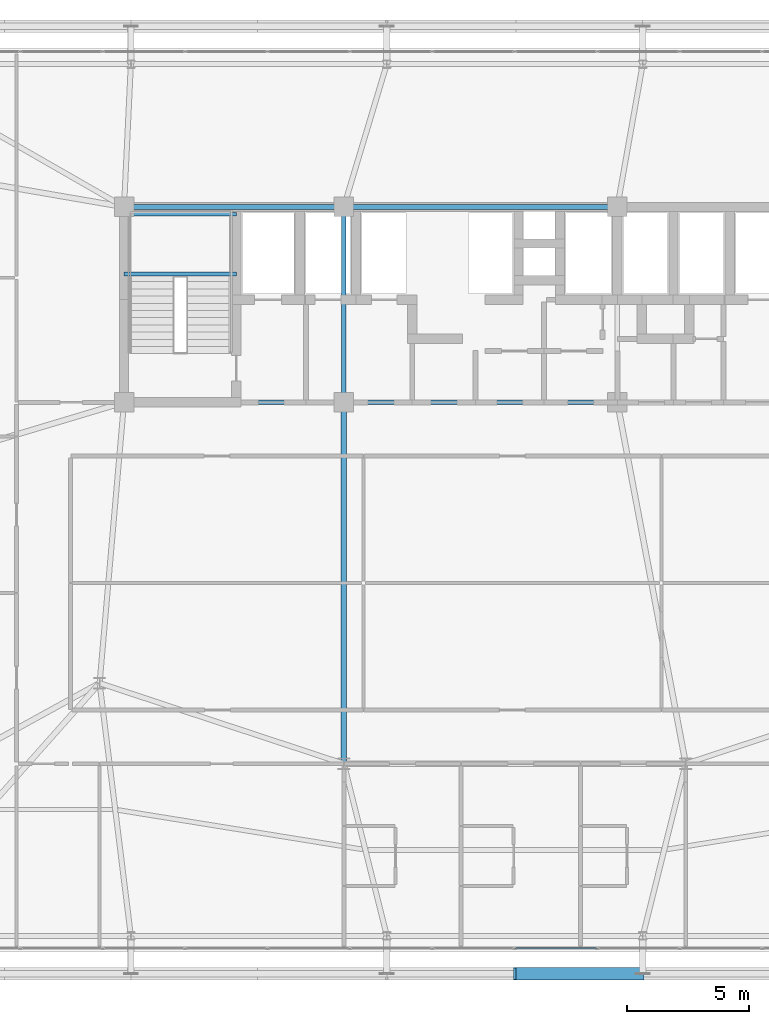
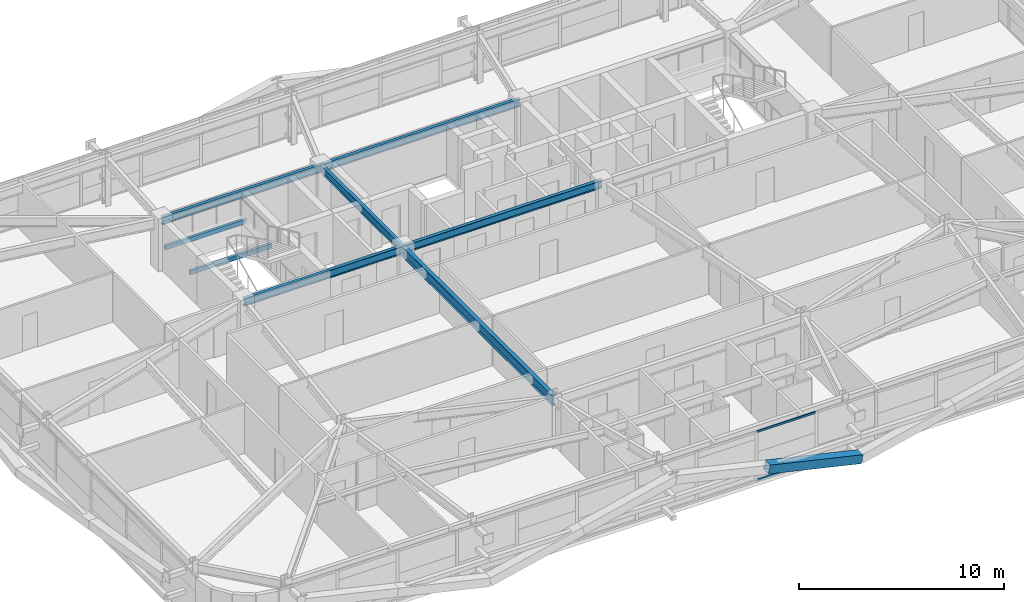
# One storey, part 19 of 59: 8 beams, 3 members, 1 element without a shape of its own.
"""IFC4 building model written with IfcOpenShell, lengths in metres."""

from ifc_helpers import new_model, si_unit, direction, frame, origin, origin_2d, place, context, subcontext, project, spatial, hollow_rectangle, i_section, extrude, source, transform, mapped, material, layer, layer_set, material_profile, profile_set, type_object, element, aggregate, save


model = new_model("IFC4")

# Units and contexts
model_context = context("Model", 3, precision=1e-05, world=origin(), true_north=direction((0.0, 1.0)))
body_context = subcontext(model_context, "Body", "Model", "MODEL_VIEW")
ifc_project = project(units=[si_unit("LENGTHUNIT", "METRE"), si_unit("AREAUNIT", "SQUARE_METRE"), si_unit("VOLUMEUNIT", "CUBIC_METRE"), si_unit("PLANEANGLEUNIT", "RADIAN"), si_unit("MASSUNIT", "GRAM", prefix="KILO")], contexts=[model_context])

# Site, building, storey
site_placement = place(None, origin())
site = spatial("IfcSite", under=ifc_project, at=site_placement, CompositionType="ELEMENT")
building_placement = place(site_placement, origin())
building = spatial("IfcBuilding", under=site, at=building_placement, Name="Taldren Reach Tower", CompositionType="ELEMENT")
storey_placement = place(building_placement, frame((0.0, 0.0, 45.14990234375)))
storey = spatial("IfcBuildingStorey", under=building, at=storey_placement, Name="L13", CompositionType="ELEMENT", Elevation=45.14990234375)

# Beams
ifc_material_1 = material(Name="Steel Gr 350 (350PLUS)", Category="steel")
ifc_material_profile_1 = material_profile(ifc_material_1, i_section(OverallWidth=0.19091796875, OverallDepth=0.4599609375, WebThickness=0.010009765625, FlangeThickness=0.01611328125, at=origin_2d()), Name="460UB82.1")
ifc_profile_set_1 = profile_set([ifc_material_profile_1], Name="Steel Gr 350 (350PLUS)")
beam_type_1 = type_object("IfcBeamType", Name="BM-UB460A", PredefinedType="BEAM", material=ifc_profile_set_1)
shared_shape_1 = source(origin(), body_context, "Body", "SweptSolid", [
    extrude(i_section(OverallWidth=0.19091796875, OverallDepth=0.4599609375, WebThickness=0.010009765625, FlangeThickness=0.01611328125, at=origin_2d()), origin(), (0.0, 0.0, 1.0), 9.0),
])
for number, where, z_axis, x_axis, name in (
    (1, (19.0, 24.0, 2.7001953125), (1.0, 0.0, 0.0), (0.0, 1.0, 0.0), "Core-spine girder L13-SP01"),
    (2, (19.0, 32.0, 2.7001953125), (1.0, 0.0, 0.0), (0.0, 1.0, 0.0), "Core-spine girder L13-SP04"),
):
    element("IfcBeam", number, at=place(storey_placement, frame(where, z_axis=z_axis, x_axis=x_axis)), inside=storey, type_object=beam_type_1, Name=name, PredefinedType="BEAM", context=body_context, shape_type="MappedRepresentation", body=[
        mapped(shared_shape_1, transform((0.0, 0.0, 0.0), scale=1.0)),
    ])
shared_shape_2 = source(origin(), body_context, "Body", "SweptSolid", [
    extrude(i_section(OverallWidth=0.19091796875, OverallDepth=0.4599609375, WebThickness=0.010009765625, FlangeThickness=0.01611328125, at=origin_2d()), origin(), (0.0, 0.0, 1.0), 11.199951171875),
])
for number, where, z_axis, x_axis, name in (
    (3, (28.0, 24.0, 2.7001953125), (1.0, 0.0, 0.0), (0.0, 1.0, 0.0), "Core-spine girder L13-SP02"),
    (4, (28.0, 32.0, 2.7001953125), (1.0, 0.0, 0.0), (0.0, 1.0, 0.0), "Core-spine girder L13-SP05"),
):
    element("IfcBeam", number, at=place(storey_placement, frame(where, z_axis=z_axis, x_axis=x_axis)), inside=storey, type_object=beam_type_1, Name=name, PredefinedType="BEAM", context=body_context, shape_type="MappedRepresentation", body=[
        mapped(shared_shape_2, transform((0.0, 0.0, 0.0), scale=1.0)),
    ])
shared_shape_3 = source(origin(), body_context, "Body", "SweptSolid", [
    extrude(i_section(OverallWidth=0.19091796875, OverallDepth=0.4599609375, WebThickness=0.010009765625, FlangeThickness=0.01611328125, at=origin_2d()), origin(), (0.0, 0.0, 1.0), 8.0),
])
beam_1_placement = place(storey_placement, frame((28.0, 24.0, 2.7001953125), z_axis=(0.0, 1.0, 0.0), x_axis=(-1.0, 0.0, 0.0)))
element("IfcBeam", 5, at=beam_1_placement, inside=storey, type_object=beam_type_1, Name="Core-spine girder L13-SP07", PredefinedType="BEAM", context=body_context, shape_type="MappedRepresentation", body=[
    mapped(shared_shape_3, transform((0.0, 0.0, 0.0), scale=1.0)),
])
ifc_material_profile_2 = material_profile(ifc_material_1, i_section(OverallWidth=0.22802734375, OverallDepth=0.60205078125, WebThickness=0.010498046875, FlangeThickness=0.014892578125, at=origin_2d()), Name="610UB101")
ifc_profile_set_2 = profile_set([ifc_material_profile_2], Name="Steel Gr 350 (350PLUS)")
beam_type_2 = type_object("IfcBeamType", Name="BM-UB610B", PredefinedType="BEAM", material=ifc_profile_set_2)
shared_shape_4 = source(origin(), body_context, "Body", "SweptSolid", [
    extrude(i_section(OverallWidth=0.22802734375, OverallDepth=0.60205078125, WebThickness=0.010498046875, FlangeThickness=0.014892578125, at=origin_2d()), origin(), (0.0, 0.0, 1.0), 14.800048828125),
])
beam_2_placement = place(storey_placement, frame((28.0, 24.0, 2.629150390625), z_axis=(0.0, -1.0, 0.0), x_axis=(1.0, 0.0, 0.0)))
element("IfcBeam", 6, at=beam_2_placement, inside=storey, type_object=beam_type_2, Name="Core-spine girder L13-SP14", PredefinedType="BEAM", context=body_context, shape_type="MappedRepresentation", body=[
    mapped(shared_shape_4, transform((0.0, 0.0, 0.0), scale=1.0)),
])

# Member
ifc_material_2 = material(Name="Steel Gr 450 (C450L0)", Category="steel")
ifc_material_profile_3 = material_profile(ifc_material_2, hollow_rectangle(XDim=0.510009765625, YDim=0.510009765625, WallThickness=0.02001953125, at=origin_2d()), Name="510x510x20.0SHS")
ifc_profile_set_3 = profile_set([ifc_material_profile_3], Name="Steel Gr 450 (C450L0)")
member_type_1 = type_object("IfcMemberType", Name="MB-EXO508", PredefinedType="BRACE", material=ifc_profile_set_3)
shared_shape_5 = source(origin(), body_context, "Body", "SweptSolid", [
    extrude(hollow_rectangle(XDim=0.510009765625, YDim=0.510009765625, WallThickness=0.02001953125, at=origin_2d()), origin(), (0.0, 0.0, 1.0), 5.37890625),
])
member_1_placement = place(storey_placement, frame((40.239990234375, 0.60009765625, 0.22021484375), z_axis=(-0.974161966843, 0.0, 0.225850531007), x_axis=(0.0, -1.0, 0.0)))
element("IfcMember", 7, at=member_1_placement, inside=storey, type_object=member_type_1, Name="Exoskeleton Diagrid Brace B1-S3 L13", PredefinedType="BRACE", context=body_context, shape_type="MappedRepresentation", body=[
    mapped(shared_shape_5, transform((0.0, 0.0, 0.0), scale=1.0)),
])

# Curtain wall, members
ifc_material_3 = material(Name="Aluminium and Low-E Glass Unitised System", Category="aluminium")
ifc_layer = layer(ifc_material_3, 0.159912109375)
ifc_layer_set = layer_set([ifc_layer], Name="Aluminium and Low-E Glass Unitised System")
curtain_wall_type = type_object("IfcCurtainWallType", Name="CW-SYS-2", PredefinedType="NOTDEFINED", material=ifc_layer_set)
curtain_wall_placement = place(storey_placement, origin())
curtain_wall = element("IfcCurtainWall", 8, at=curtain_wall_placement, inside=storey, type_object=curtain_wall_type, Name="Unitised curtain wall CW-L13-S", PredefinedType="NOTDEFINED")
ifc_material_4 = material(Name="Anodised Aluminium 6063-T6", Category="aluminium")
ifc_material_profile_4 = material_profile(ifc_material_4, hollow_rectangle(XDim=0.054931640625, YDim=0.1201171875, WallThickness=0.0029296875, at=origin_2d()), Name="ALU-120x55x3RHS")
ifc_profile_set_4 = profile_set([ifc_material_profile_4], Name="Anodised Aluminium 6063-T6")
member_type_2 = type_object("IfcMemberType", Name="CW-TRN-135", PredefinedType="USERDEFINED", material=ifc_profile_set_4)
shared_shape_6 = source(origin(), body_context, "Body", "SweptSolid", [
    extrude(hollow_rectangle(XDim=0.054931640625, YDim=0.1201171875, WallThickness=0.0029296875, at=origin_2d()), origin(), (0.0, 0.0, 1.0), 3.31005859375),
])
member_2_placement = place(storey_placement, frame((35.032470703125, 1.639892578125, 0.027587890625), z_axis=(1.0, 0.0, 0.0), x_axis=(0.0, 1.0, 0.0)))
member_2 = element("IfcMember", 9, at=member_2_placement, type_object=member_type_2, Name="CW-2 transom 9.1", ObjectType="TRANSOM", PredefinedType="USERDEFINED", context=body_context, shape_type="MappedRepresentation", body=[
    mapped(shared_shape_6, transform((0.0, 0.0, 0.0), scale=1.0)),
])
member_3_placement = place(storey_placement, frame((35.032470703125, 1.639892578125, 2.902587890625), z_axis=(1.0, 0.0, 0.0), x_axis=(0.0, 1.0, 0.0)))
member_3 = element("IfcMember", 10, at=member_3_placement, type_object=member_type_2, Name="CW-2 transom 9.2", ObjectType="TRANSOM", PredefinedType="USERDEFINED", context=body_context, shape_type="MappedRepresentation", body=[
    mapped(shared_shape_6, transform((0.0, 0.0, 0.0), scale=1.0)),
])
aggregate(curtain_wall, [member_2, member_3])

# Beams
ifc_material_5 = material(Name="Steel Gr 350 (C350L0)", Category="steel")
ifc_material_profile_5 = material_profile(ifc_material_5, hollow_rectangle(XDim=0.14990234375, YDim=0.25, WallThickness=0.009033203125, at=origin_2d()), Name="250x150x9.0RHS")
ifc_profile_set_5 = profile_set([ifc_material_profile_5], Name="Steel Gr 350 (C350L0)")
beam_type_3 = type_object("IfcBeamType", Name="LN-RHS250", PredefinedType="LINTEL", material=ifc_profile_set_5)
shared_shape_7 = source(origin(), body_context, "Body", "SweptSolid", [
    extrude(hollow_rectangle(XDim=0.14990234375, YDim=0.25, WallThickness=0.009033203125, at=origin_2d()), origin(), (0.0, 0.0, 1.0), 4.60009765625),
])
for number, where, z_axis, x_axis, name in (
    (11, (19.0, 29.2548828125, 1.27001953125), (1.0, 0.0, 0.0), (0.0, 1.0, 0.0), "Stair half-landing support beam ST1-L13-1"),
    (12, (19.0, 31.699951171875, 1.27001953125), (1.0, 0.0, 0.0), (0.0, 1.0, 0.0), "Stair half-landing support beam ST1-L13-2"),
):
    element("IfcBeam", number, at=place(storey_placement, frame(where, z_axis=z_axis, x_axis=x_axis)), inside=storey, type_object=beam_type_3, Name=name, PredefinedType="LINTEL", context=body_context, shape_type="MappedRepresentation", body=[
        mapped(shared_shape_7, transform((0.0, 0.0, 0.0), scale=1.0)),
    ])

save(model, "model.ifc")
